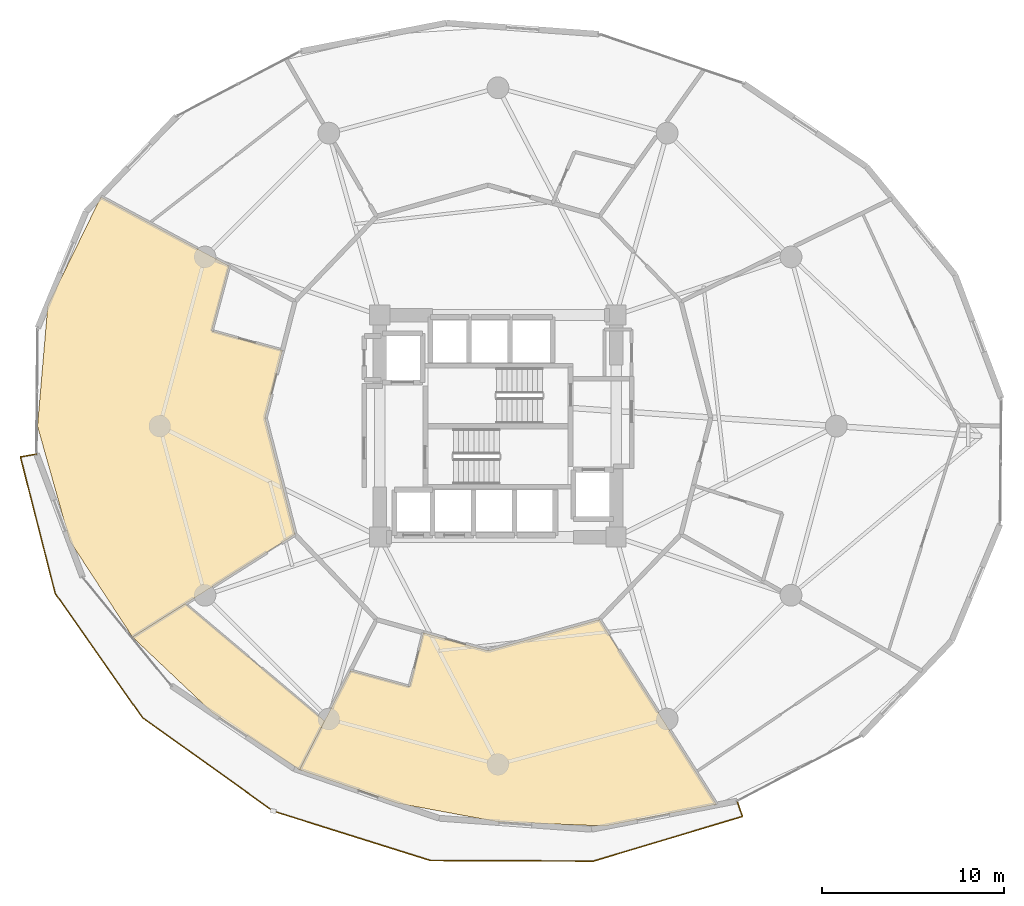
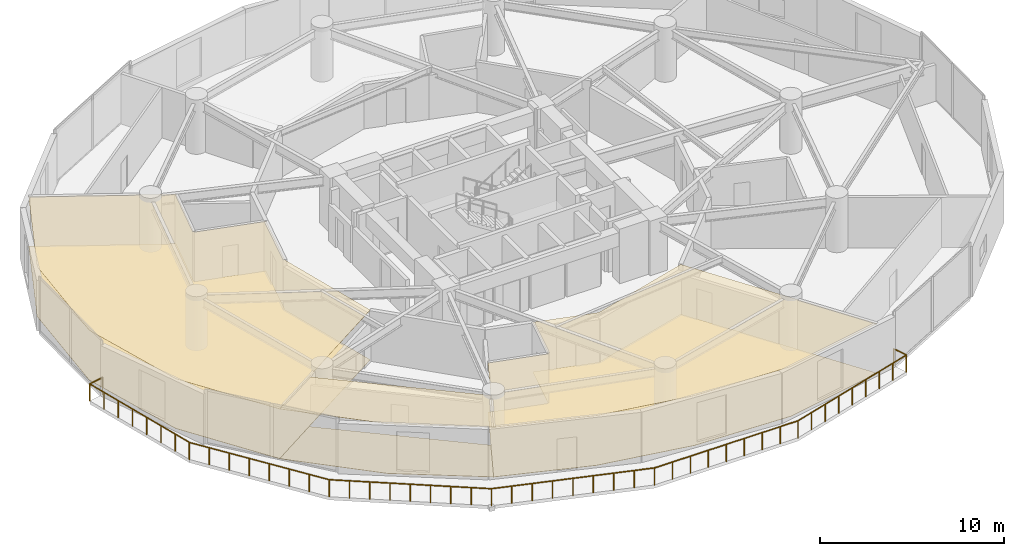
# One storey, part 18 of 20: 6 coverings, 1 railing.
"""IFC4 building model written with IfcOpenShell, lengths in metres."""

from ifc_helpers import new_model, si_unit, direction, frame, origin, origin_2d, place, context, subcontext, project, spatial, polyline, circle, outline, extrude, material, layer, layer_set, type_object, element, save


model = new_model("IFC4")

# Units and contexts
model_context = context("Model", 3, precision=1e-05, world=origin(), true_north=direction((0.0, 1.0)))
body_context = subcontext(model_context, "Body", "Model", "MODEL_VIEW")
ifc_project = project(units=[si_unit("LENGTHUNIT", "METRE"), si_unit("AREAUNIT", "SQUARE_METRE"), si_unit("VOLUMEUNIT", "CUBIC_METRE"), si_unit("PLANEANGLEUNIT", "RADIAN"), si_unit("MASSUNIT", "GRAM", prefix="KILO")], contexts=[model_context])

# Site, building, storey
site_placement = place(None, origin())
site = spatial("IfcSite", under=ifc_project, at=site_placement, CompositionType="ELEMENT")
building_placement = place(site_placement, origin())
building = spatial("IfcBuilding", under=site, at=building_placement, Name="Solvirekh Grand Hotel", CompositionType="ELEMENT")
storey_placement = place(building_placement, frame((0.0, 0.0, 50.0)))
storey = spatial("IfcBuildingStorey", under=building, at=storey_placement, Name="L11", CompositionType="ELEMENT", Elevation=50.0)

# Coverings
ifc_material_1 = material(Name="Acoustic Mineral Ceiling Tile")
ifc_layer_1 = layer(ifc_material_1, 0.02490234375)
ifc_layer_set_1 = layer_set([ifc_layer_1], Name="Acoustic Mineral Ceiling Tile")
covering_type_1 = type_object("IfcCoveringType", Name="Cov_Ceiling_Acoustic", PredefinedType="CEILING", material=ifc_layer_set_1)
covering_1_placement = place(storey_placement, frame((0.0, 0.0, 3.2900390625)))
element("IfcCovering", 1, at=covering_1_placement, inside=storey, type_object=covering_type_1, Name="L11 Diplomatic Suite 1302 Living Room acoustic ceiling", PredefinedType="CEILING", context=body_context, shape_type="SweptSolid", body=[
    extrude(outline(polyline([(-15.739013671875, 5.23193359375), (-14.785888671875, 8.805908203125), (-21.827880859375, 12.60205078125), (-24.7490234375, 6.632080078125), (-25.31494140625, 0.0), (-23.541015625, -6.30810546875), (-20.090087890625, -11.59912109375), (-11.158935546875, -5.949951171875), (-12.800048828125, 0.449951171875), (-11.847900390625, 4.162109375), (-15.739013671875, 5.23193359375)])), origin(), (0.0, 0.0, 1.0), 0.01806640625),
])
covering_2_placement = place(storey_placement, frame((0.0, 0.0, 3.2900390625)))
element("IfcCovering", 2, at=covering_2_placement, inside=storey, type_object=covering_type_1, Name="L11 Diplomatic Suite 1302 Master Bedroom acoustic ceiling", PredefinedType="CEILING", context=body_context, shape_type="SweptSolid", body=[
    extrude(outline(polyline([(-20.090087890625, -11.59912109375), (-15.72802734375, -15.72802734375), (-10.908935546875, -18.89404296875), (-9.532958984375, -16.2099609375), (-17.18701171875, -9.762939453125), (-20.090087890625, -11.59912109375)])), origin(), (0.0, 0.0, 1.0), 0.01806640625),
])
covering_3_placement = place(storey_placement, frame((0.0, 0.0, 3.2900390625)))
element("IfcCovering", 3, at=covering_3_placement, inside=storey, type_object=covering_type_1, Name="L11 Diplomatic Suite 1303 Living Room acoustic ceiling", PredefinedType="CEILING", context=body_context, shape_type="SweptSolid", body=[
    extrude(outline(polyline([(-4.85888671875, -14.326904296875), (-8.114990234375, -13.443115234375), (-10.908935546875, -18.89404296875), (-5.552978515625, -20.72509765625), (0.0, -21.7529296875), (5.889892578125, -21.98193359375), (12.0048828125, -20.79296875), (5.574951171875, -10.635009765625), (-0.550048828125, -12.35009765625), (-4.10302734375, -11.35498046875), (-4.85888671875, -14.326904296875)])), origin(), (0.0, 0.0, 1.0), 0.01806640625),
])
ifc_material_2 = material(Name="Porcelain Stoneware Flooring", Category="masonry")
ifc_layer_2 = layer(ifc_material_2, 0.030029296875)
ifc_layer_set_2 = layer_set([ifc_layer_2], Name="Porcelain Stoneware Flooring")
covering_type_2 = type_object("IfcCoveringType", Name="Cov_Floor_Stone", PredefinedType="FLOORING", material=ifc_layer_set_2)
covering_4_placement = place(storey_placement, origin())
element("IfcCovering", 4, at=covering_4_placement, inside=storey, type_object=covering_type_2, Name="L11 Diplomatic Suite 1302 Living Room polished granite flooring", PredefinedType="FLOORING", context=body_context, shape_type="SweptSolid", body=[
    extrude(outline(polyline([(-15.739013671875, 5.23193359375), (-14.785888671875, 8.805908203125), (-21.827880859375, 12.60205078125), (-24.7490234375, 6.632080078125), (-25.31494140625, 0.0), (-23.541015625, -6.30810546875), (-20.090087890625, -11.59912109375), (-11.158935546875, -5.949951171875), (-12.800048828125, 0.449951171875), (-11.847900390625, 4.162109375), (-15.739013671875, 5.23193359375)])), origin(), (0.0, 0.0, 1.0), 0.02001953125),
])
covering_5_placement = place(storey_placement, origin())
element("IfcCovering", 5, at=covering_5_placement, inside=storey, type_object=covering_type_2, Name="L11 Diplomatic Suite 1302 Master Bedroom polished granite flooring", PredefinedType="FLOORING", context=body_context, shape_type="SweptSolid", body=[
    extrude(outline(polyline([(-20.090087890625, -11.59912109375), (-15.72802734375, -15.72802734375), (-10.908935546875, -18.89404296875), (-9.532958984375, -16.2099609375), (-17.18701171875, -9.762939453125), (-20.090087890625, -11.59912109375)])), origin(), (0.0, 0.0, 1.0), 0.02001953125),
])
covering_6_placement = place(storey_placement, origin())
element("IfcCovering", 6, at=covering_6_placement, inside=storey, type_object=covering_type_2, Name="L11 Diplomatic Suite 1303 Living Room polished granite flooring", PredefinedType="FLOORING", context=body_context, shape_type="SweptSolid", body=[
    extrude(outline(polyline([(-4.85888671875, -14.326904296875), (-8.114990234375, -13.443115234375), (-10.908935546875, -18.89404296875), (-5.552978515625, -20.72509765625), (0.0, -21.7529296875), (5.889892578125, -21.98193359375), (12.0048828125, -20.79296875), (5.574951171875, -10.635009765625), (-0.550048828125, -12.35009765625), (-4.10302734375, -11.35498046875), (-4.85888671875, -14.326904296875)])), origin(), (0.0, 0.0, 1.0), 0.02001953125),
])

# Railing
ifc_material_3 = material(Name="Anodized Bronze Aluminium 6063-T6", Category="aluminium")
railing_type = type_object("IfcRailingType", Name="Guard_ExtGlass_1150", PredefinedType="BALUSTRADE", material=ifc_material_3)
railing_placement = place(storey_placement, frame((-25.368896484375, -1.532958984375, 0.0)))
element("IfcRailing", 7, at=railing_placement, inside=storey, type_object=railing_type, Name="L11 balc perimeter glass balustrade", PredefinedType="BALUSTRADE", context=body_context, shape_type="SweptSolid", body=[
    extrude(circle(Radius=0.02392578125, at=origin_2d()), frame((0.0, 0.0, 1.1259765625), z_axis=(-0.984051621383, -0.177883125827, 0.0), x_axis=(0.177883125827, -0.984051621383, 0.0)), (0.0, 0.0, 1.0), 0.900390625),
    extrude(circle(Radius=0.02392578125, at=origin_2d()), frame((-0.885986328125, -0.16015625, 1.1259765625), z_axis=(0.246551540115, -0.969129680727, 0.0), x_axis=(0.969129680727, 0.246551540115, 0.0)), (0.0, 0.0, 1.0), 7.734619140625),
    extrude(circle(Radius=0.02392578125, at=origin_2d()), frame((1.02099609375, -7.656005859375, 1.1259765625), z_axis=(0.574483442593, -0.818516202763, 0.0), x_axis=(0.818516202763, 0.574483442593, 0.0)), (0.0, 0.0, 1.0), 8.356689453125),
    extrude(circle(Radius=0.02392578125, at=origin_2d()), frame((5.82177734375, -14.49609375, 1.1259765625), z_axis=(0.813688659636, -0.581300924806, 0.0), x_axis=(0.581300924806, 0.813688659636, 0.0)), (0.0, 0.0, 1.0), 8.83544921875),
    extrude(circle(Radius=0.02392578125, at=origin_2d()), frame((13.010986328125, -19.632080078125, 1.1259765625), z_axis=(0.953982261764, -0.29986304247, 0.0), x_axis=(0.29986304247, 0.953982261764, 0.0)), (0.0, 0.0, 1.0), 9.0576171875),
    extrude(circle(Radius=0.02392578125, at=origin_2d()), frame((21.65185546875, -22.34814453125, 1.1259765625), z_axis=(0.999992835829, -0.003785272846, 0.0), x_axis=(0.003785272846, 0.999992835829, 0.0)), (0.0, 0.0, 1.0), 8.965087890625),
    extrude(circle(Radius=0.02392578125, at=origin_2d()), frame((30.616943359375, -22.382080078125, 1.1259765625), z_axis=(0.957915802157, 0.287049326733, 0.0), x_axis=(-0.287049326733, 0.957915802157, 0.0)), (0.0, 0.0, 1.0), 8.552734375),
    extrude(circle(Radius=0.02392578125, at=origin_2d()), frame((38.809814453125, -19.927001953125, 1.1259765625), z_axis=(-0.327427067628, 0.944876455091, 0.0), x_axis=(-0.944876455091, -0.327427067628, 0.0)), (0.0, 0.0, 1.0), 0.900634765625),
    extrude(circle(Radius=0.02099609375, at=origin_2d()), origin(), (0.0, 0.0, 1.0), 1.101806640625),
    extrude(circle(Radius=0.02099609375, at=origin_2d()), frame((-0.885986328125, -0.16015625, 0.0)), (0.0, 0.0, 1.0), 1.101806640625),
    extrude(circle(Radius=0.02099609375, at=origin_2d()), frame((-0.613525390625, -1.23095703125, 0.0)), (0.0, 0.0, 1.0), 1.101806640625),
    extrude(circle(Radius=0.02099609375, at=origin_2d()), frame((-0.341064453125, -2.3017578125, 0.0)), (0.0, 0.0, 1.0), 1.101806640625),
    extrude(circle(Radius=0.02099609375, at=origin_2d()), frame((-0.068603515625, -3.37255859375, 0.0)), (0.0, 0.0, 1.0), 1.101806640625),
    extrude(circle(Radius=0.02099609375, at=origin_2d()), frame((0.20361328125, -4.443603515625, 0.0)), (0.0, 0.0, 1.0), 1.101806640625),
    extrude(circle(Radius=0.02099609375, at=origin_2d()), frame((0.47607421875, -5.514404296875, 0.0)), (0.0, 0.0, 1.0), 1.101806640625),
    extrude(circle(Radius=0.02099609375, at=origin_2d()), frame((0.74853515625, -6.585205078125, 0.0)), (0.0, 0.0, 1.0), 1.101806640625),
    extrude(circle(Radius=0.02099609375, at=origin_2d()), frame((1.02099609375, -7.656005859375, 0.0)), (0.0, 0.0, 1.0), 1.101806640625),
    extrude(circle(Radius=0.02099609375, at=origin_2d()), frame((1.706787109375, -8.633056640625, 0.0)), (0.0, 0.0, 1.0), 1.101806640625),
    extrude(circle(Radius=0.02099609375, at=origin_2d()), frame((2.392578125, -9.6103515625, 0.0)), (0.0, 0.0, 1.0), 1.101806640625),
    extrude(circle(Radius=0.02099609375, at=origin_2d()), frame((3.078369140625, -10.58740234375, 0.0)), (0.0, 0.0, 1.0), 1.101806640625),
    extrude(circle(Radius=0.02099609375, at=origin_2d()), frame((3.764404296875, -11.564697265625, 0.0)), (0.0, 0.0, 1.0), 1.101806640625),
    extrude(circle(Radius=0.02099609375, at=origin_2d()), frame((4.4501953125, -12.541748046875, 0.0)), (0.0, 0.0, 1.0), 1.101806640625),
    extrude(circle(Radius=0.02099609375, at=origin_2d()), frame((5.135986328125, -13.51904296875, 0.0)), (0.0, 0.0, 1.0), 1.101806640625),
    extrude(circle(Radius=0.02099609375, at=origin_2d()), frame((5.82177734375, -14.49609375, 0.0)), (0.0, 0.0, 1.0), 1.101806640625),
    extrude(circle(Radius=0.02099609375, at=origin_2d()), frame((6.720458984375, -15.13818359375, 0.0)), (0.0, 0.0, 1.0), 1.101806640625),
    extrude(circle(Radius=0.02099609375, at=origin_2d()), frame((7.619140625, -15.780029296875, 0.0)), (0.0, 0.0, 1.0), 1.101806640625),
    extrude(circle(Radius=0.02099609375, at=origin_2d()), frame((8.517822265625, -16.422119140625, 0.0)), (0.0, 0.0, 1.0), 1.101806640625),
    extrude(circle(Radius=0.02099609375, at=origin_2d()), frame((9.41650390625, -17.06396484375, 0.0)), (0.0, 0.0, 1.0), 1.101806640625),
    extrude(circle(Radius=0.02099609375, at=origin_2d()), frame((10.31494140625, -17.7060546875, 0.0)), (0.0, 0.0, 1.0), 1.101806640625),
    extrude(circle(Radius=0.02099609375, at=origin_2d()), frame((11.213623046875, -18.34814453125, 0.0)), (0.0, 0.0, 1.0), 1.101806640625),
    extrude(circle(Radius=0.02099609375, at=origin_2d()), frame((12.1123046875, -18.989990234375, 0.0)), (0.0, 0.0, 1.0), 1.101806640625),
    extrude(circle(Radius=0.02099609375, at=origin_2d()), frame((13.010986328125, -19.632080078125, 0.0)), (0.0, 0.0, 1.0), 1.101806640625),
    extrude(circle(Radius=0.02099609375, at=origin_2d()), frame((14.091064453125, -19.9716796875, 0.0)), (0.0, 0.0, 1.0), 1.101806640625),
    extrude(circle(Radius=0.02099609375, at=origin_2d()), frame((15.171142578125, -20.31103515625, 0.0)), (0.0, 0.0, 1.0), 1.101806640625),
    extrude(circle(Radius=0.02099609375, at=origin_2d()), frame((16.251220703125, -20.650634765625, 0.0)), (0.0, 0.0, 1.0), 1.101806640625),
    extrude(circle(Radius=0.02099609375, at=origin_2d()), frame((17.33154296875, -20.990234375, 0.0)), (0.0, 0.0, 1.0), 1.101806640625),
    extrude(circle(Radius=0.02099609375, at=origin_2d()), frame((18.41162109375, -21.32958984375, 0.0)), (0.0, 0.0, 1.0), 1.101806640625),
    extrude(circle(Radius=0.02099609375, at=origin_2d()), frame((19.49169921875, -21.669189453125, 0.0)), (0.0, 0.0, 1.0), 1.101806640625),
    extrude(circle(Radius=0.02099609375, at=origin_2d()), frame((20.57177734375, -22.008544921875, 0.0)), (0.0, 0.0, 1.0), 1.101806640625),
    extrude(circle(Radius=0.02099609375, at=origin_2d()), frame((21.65185546875, -22.34814453125, 0.0)), (0.0, 0.0, 1.0), 1.101806640625),
    extrude(circle(Radius=0.02099609375, at=origin_2d()), frame((22.7724609375, -22.352294921875, 0.0)), (0.0, 0.0, 1.0), 1.101806640625),
    extrude(circle(Radius=0.02099609375, at=origin_2d()), frame((23.89306640625, -22.356689453125, 0.0)), (0.0, 0.0, 1.0), 1.101806640625),
    extrude(circle(Radius=0.02099609375, at=origin_2d()), frame((25.013671875, -22.36083984375, 0.0)), (0.0, 0.0, 1.0), 1.101806640625),
    extrude(circle(Radius=0.02099609375, at=origin_2d()), frame((26.13427734375, -22.365234375, 0.0)), (0.0, 0.0, 1.0), 1.101806640625),
    extrude(circle(Radius=0.02099609375, at=origin_2d()), frame((27.255126953125, -22.369384765625, 0.0)), (0.0, 0.0, 1.0), 1.101806640625),
    extrude(circle(Radius=0.02099609375, at=origin_2d()), frame((28.375732421875, -22.37353515625, 0.0)), (0.0, 0.0, 1.0), 1.101806640625),
    extrude(circle(Radius=0.02099609375, at=origin_2d()), frame((29.496337890625, -22.3779296875, 0.0)), (0.0, 0.0, 1.0), 1.101806640625),
    extrude(circle(Radius=0.02099609375, at=origin_2d()), frame((30.616943359375, -22.382080078125, 0.0)), (0.0, 0.0, 1.0), 1.101806640625),
    extrude(circle(Radius=0.02099609375, at=origin_2d()), frame((31.64111328125, -22.0751953125, 0.0)), (0.0, 0.0, 1.0), 1.101806640625),
    extrude(circle(Radius=0.02099609375, at=origin_2d()), frame((32.6650390625, -21.768310546875, 0.0)), (0.0, 0.0, 1.0), 1.101806640625),
    extrude(circle(Radius=0.02099609375, at=origin_2d()), frame((33.689208984375, -21.46142578125, 0.0)), (0.0, 0.0, 1.0), 1.101806640625),
    extrude(circle(Radius=0.02099609375, at=origin_2d()), frame((34.71337890625, -21.154541015625, 0.0)), (0.0, 0.0, 1.0), 1.101806640625),
    extrude(circle(Radius=0.02099609375, at=origin_2d()), frame((35.737548828125, -20.84765625, 0.0)), (0.0, 0.0, 1.0), 1.101806640625),
    extrude(circle(Radius=0.02099609375, at=origin_2d()), frame((36.76171875, -20.540771484375, 0.0)), (0.0, 0.0, 1.0), 1.101806640625),
    extrude(circle(Radius=0.02099609375, at=origin_2d()), frame((37.78564453125, -20.23388671875, 0.0)), (0.0, 0.0, 1.0), 1.101806640625),
    extrude(circle(Radius=0.02099609375, at=origin_2d()), frame((38.809814453125, -19.927001953125, 0.0)), (0.0, 0.0, 1.0), 1.101806640625),
    extrude(circle(Radius=0.02099609375, at=origin_2d()), frame((38.514892578125, -19.075927734375, 0.0)), (0.0, 0.0, 1.0), 1.101806640625),
])

save(model, "model.ifc")
